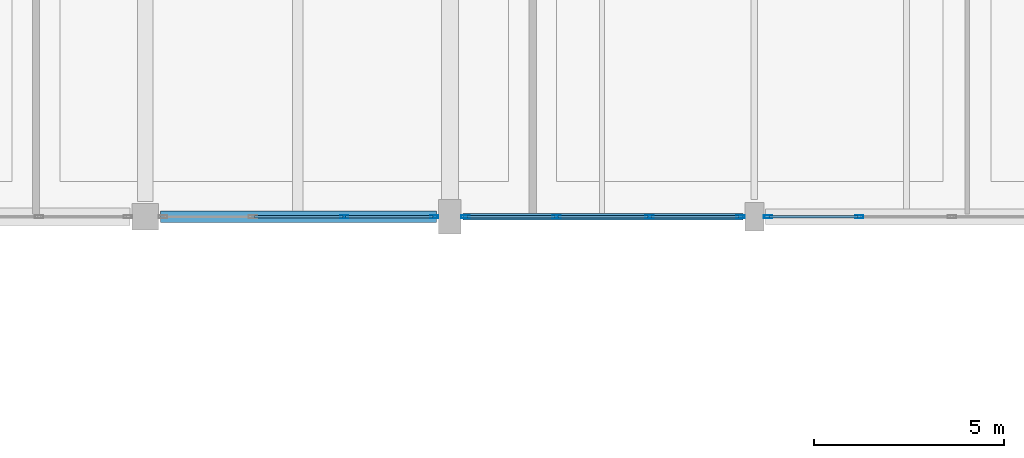
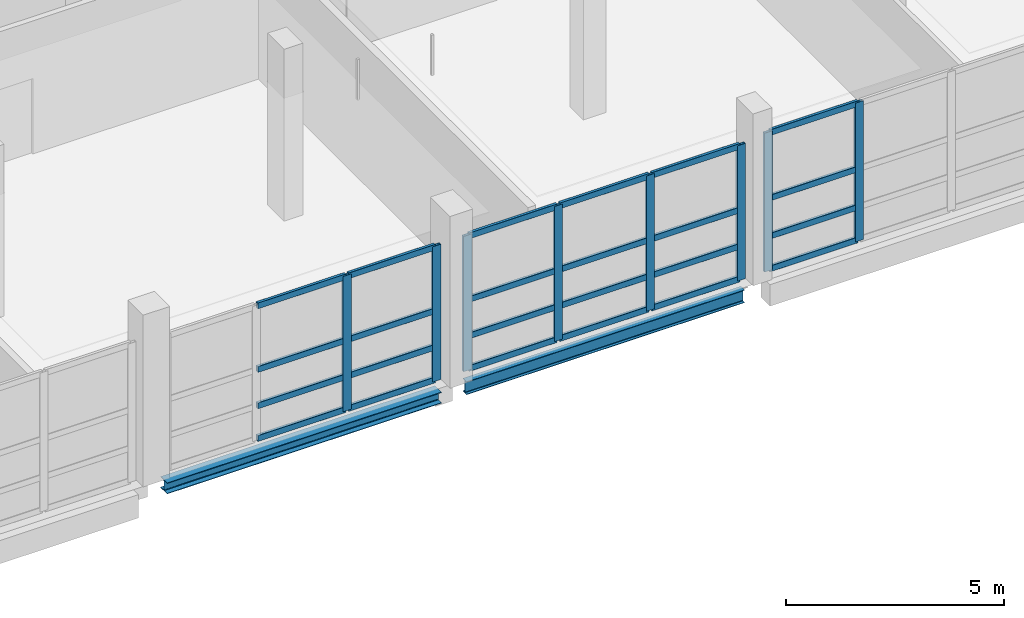
# One storey, part 16 of 46: 32 members, 2 beams, 3 elements without a shape of their own.
"""IFC4 building model written with IfcOpenShell, lengths in metres."""

from ifc_helpers import new_model, si_unit, direction, frame, origin, origin_2d, place, context, subcontext, project, spatial, hollow_rectangle, i_section, extrude, material, material_profile, profile_set, type_object, element, aggregate, save


model = new_model("IFC4")

# Units and contexts
model_context = context("Model", 3, precision=1e-05, world=origin(), true_north=direction((0.0, 1.0)))
body_context = subcontext(model_context, "Body", "Model", "MODEL_VIEW")
ifc_project = project(units=[si_unit("LENGTHUNIT", "METRE"), si_unit("AREAUNIT", "SQUARE_METRE"), si_unit("VOLUMEUNIT", "CUBIC_METRE"), si_unit("PLANEANGLEUNIT", "RADIAN"), si_unit("MASSUNIT", "GRAM", prefix="KILO")], contexts=[model_context])

# Site, building, storey
site_placement = place(None, origin())
site = spatial("IfcSite", under=ifc_project, at=site_placement, CompositionType="ELEMENT")
building_placement = place(site_placement, origin())
building = spatial("IfcBuilding", under=site, at=building_placement, Name="Khelvaren Railside Concert Hall", CompositionType="ELEMENT")
storey_placement = place(building_placement, frame((0.0, 0.0, 19.800048828125)))
storey = spatial("IfcBuildingStorey", under=building, at=storey_placement, Name="L04", CompositionType="ELEMENT", Elevation=19.800048828125)

# Curtain wall, members
ifc_material_1 = material(Name="Triple-glazed solar-control glass", Category="glass")
curtain_wall_type_1 = type_object("IfcCurtainWallType", Name="CW41", PredefinedType="USERDEFINED", material=ifc_material_1)
curtain_wall_1_placement = place(storey_placement, origin())
curtain_wall_1 = element("IfcCurtainWall", 1, at=curtain_wall_1_placement, inside=storey, type_object=curtain_wall_type_1, Name="Unitised Curtain Wall CW-V5-L04-S-152", ObjectType="UNITISED CURTAIN WALL", PredefinedType="USERDEFINED")
ifc_material_2 = material(Name="Anodised architectural aluminium 6063-T6", Category="aluminium")
ifc_material_profile_1 = material_profile(ifc_material_2, hollow_rectangle(XDim=0.074951171875, YDim=0.219970703125, WallThickness=0.0048828125, InnerFilletRadius=0.0029296875, OuterFilletRadius=0.0048828125, at=origin_2d()), Name="CWM 75x220x5")
ifc_profile_set_1 = profile_set([ifc_material_profile_1], Name="Anodised architectural aluminium 6063-T6")
member_type_1 = type_object("IfcMemberType", Name="CWM13", PredefinedType="MULLION", material=ifc_profile_set_1)
member_1_placement = place(storey_placement, frame((159.590087890625, 91.199951171875, 0.0), z_axis=(0.0, 0.0, 1.0), x_axis=(0.0, -1.0, 0.0)))
member_1 = element("IfcMember", 2, at=member_1_placement, type_object=member_type_1, Name="CW41 mullion 1", PredefinedType="MULLION", context=body_context, shape_type="SweptSolid", body=[
    extrude(hollow_rectangle(XDim=0.074951171875, YDim=0.219970703125, WallThickness=0.0048828125, InnerFilletRadius=0.0029296875, OuterFilletRadius=0.0048828125, at=origin_2d()), origin(), (0.0, 0.0, 1.0), 3.780029296875),
])
member_2_placement = place(storey_placement, frame((157.225830078125, 91.199951171875, 0.0), z_axis=(0.0, 0.0, 1.0), x_axis=(0.0, -1.0, 0.0)))
member_2 = element("IfcMember", 3, at=member_2_placement, type_object=member_type_1, Name="CW41 mullion 2", PredefinedType="MULLION", context=body_context, shape_type="SweptSolid", body=[
    extrude(hollow_rectangle(XDim=0.074951171875, YDim=0.219970703125, WallThickness=0.0048828125, InnerFilletRadius=0.0029296875, OuterFilletRadius=0.0048828125, at=origin_2d()), origin(), (0.0, 0.0, 1.0), 3.780029296875),
])

curtain_wall_type_2 = type_object("IfcCurtainWallType", Name="CW88", PredefinedType="USERDEFINED", material=ifc_material_1)
curtain_wall_2_placement = place(storey_placement, origin())
curtain_wall_2 = element("IfcCurtainWall", 4, at=curtain_wall_2_placement, inside=storey, type_object=curtain_wall_type_2, Name="Unitised Curtain Wall CW-V5-L04-S-160", ObjectType="UNITISED CURTAIN WALL", PredefinedType="USERDEFINED")
member_3_placement = place(storey_placement, frame((167.639892578125, 91.199951171875, 0.0), z_axis=(0.0, 0.0, 1.0), x_axis=(0.0, -1.0, 0.0)))
member_3 = element("IfcMember", 5, at=member_3_placement, type_object=member_type_1, Name="CW88 mullion 1", PredefinedType="MULLION", context=body_context, shape_type="SweptSolid", body=[
    extrude(hollow_rectangle(XDim=0.074951171875, YDim=0.219970703125, WallThickness=0.0048828125, InnerFilletRadius=0.0029296875, OuterFilletRadius=0.0048828125, at=origin_2d()), origin(), (0.0, 0.0, 1.0), 3.780029296875),
])
member_4_placement = place(storey_placement, frame((165.242431640625, 91.199951171875, 0.0), z_axis=(0.0, 0.0, 1.0), x_axis=(0.0, -1.0, 0.0)))
member_4 = element("IfcMember", 6, at=member_4_placement, type_object=member_type_1, Name="CW88 mullion 2", PredefinedType="MULLION", context=body_context, shape_type="SweptSolid", body=[
    extrude(hollow_rectangle(XDim=0.074951171875, YDim=0.219970703125, WallThickness=0.0048828125, InnerFilletRadius=0.0029296875, OuterFilletRadius=0.0048828125, at=origin_2d()), origin(), (0.0, 0.0, 1.0), 3.780029296875),
])
member_5_placement = place(storey_placement, frame((162.8076171875, 91.199951171875, 0.0), z_axis=(0.0, 0.0, 1.0), x_axis=(0.0, -1.0, 0.0)))
member_5 = element("IfcMember", 7, at=member_5_placement, type_object=member_type_1, Name="CW88 mullion 3", PredefinedType="MULLION", context=body_context, shape_type="SweptSolid", body=[
    extrude(hollow_rectangle(XDim=0.074951171875, YDim=0.219970703125, WallThickness=0.0048828125, InnerFilletRadius=0.0029296875, OuterFilletRadius=0.0048828125, at=origin_2d()), origin(), (0.0, 0.0, 1.0), 3.780029296875),
])
member_6_placement = place(storey_placement, frame((160.409912109375, 91.199951171875, 0.0), z_axis=(0.0, 0.0, 1.0), x_axis=(0.0, -1.0, 0.0)))
member_6 = element("IfcMember", 8, at=member_6_placement, type_object=member_type_1, Name="CW88 mullion 4", PredefinedType="MULLION", context=body_context, shape_type="SweptSolid", body=[
    extrude(hollow_rectangle(XDim=0.074951171875, YDim=0.219970703125, WallThickness=0.0048828125, InnerFilletRadius=0.0029296875, OuterFilletRadius=0.0048828125, at=origin_2d()), origin(), (0.0, 0.0, 1.0), 3.780029296875),
])

curtain_wall_type_3 = type_object("IfcCurtainWallType", Name="CW14", PredefinedType="USERDEFINED", material=ifc_material_1)
curtain_wall_3_placement = place(storey_placement, origin())
curtain_wall_3 = element("IfcCurtainWall", 9, at=curtain_wall_3_placement, inside=storey, type_object=curtain_wall_type_3, Name="Unitised Curtain Wall CW-V5-L04-S-168", ObjectType="UNITISED CURTAIN WALL", PredefinedType="USERDEFINED")
member_7_placement = place(storey_placement, frame((170.757568359375, 91.199951171875, 0.0), z_axis=(0.0, 0.0, 1.0), x_axis=(0.0, -1.0, 0.0)))
member_7 = element("IfcMember", 10, at=member_7_placement, type_object=member_type_1, Name="CW14 mullion 3", PredefinedType="MULLION", context=body_context, shape_type="SweptSolid", body=[
    extrude(hollow_rectangle(XDim=0.074951171875, YDim=0.219970703125, WallThickness=0.0048828125, InnerFilletRadius=0.0029296875, OuterFilletRadius=0.0048828125, at=origin_2d()), origin(), (0.0, 0.0, 1.0), 3.8798828125),
])
member_8_placement = place(storey_placement, frame((168.360107421875, 91.199951171875, 0.0), z_axis=(0.0, 0.0, 1.0), x_axis=(0.0, -1.0, 0.0)))
member_8 = element("IfcMember", 11, at=member_8_placement, type_object=member_type_1, Name="CW14 mullion 4", PredefinedType="MULLION", context=body_context, shape_type="SweptSolid", body=[
    extrude(hollow_rectangle(XDim=0.074951171875, YDim=0.219970703125, WallThickness=0.0048828125, InnerFilletRadius=0.0029296875, OuterFilletRadius=0.0048828125, at=origin_2d()), origin(), (0.0, 0.0, 1.0), 3.8798828125),
])

# Member
ifc_material_profile_2 = material_profile(ifc_material_2, hollow_rectangle(XDim=0.074951171875, YDim=0.1650390625, WallThickness=0.00390625, InnerFilletRadius=0.001953125, OuterFilletRadius=0.00390625, at=origin_2d()), Name="CWT 75x165x4")
ifc_profile_set_2 = profile_set([ifc_material_profile_2], Name="Anodised architectural aluminium 6063-T6")
member_type_2 = type_object("IfcMemberType", Name="CWT46", PredefinedType="USERDEFINED", material=ifc_profile_set_2)
member_9_placement = place(storey_placement, frame((159.552490234375, 91.199951171875, 0.037353515625), z_axis=(-1.0, 0.0, 0.0), x_axis=(0.0, -1.0, 0.0)))
member_9 = element("IfcMember", 12, at=member_9_placement, type_object=member_type_2, Name="CW41 transom 1.1", ObjectType="TRANSOM", PredefinedType="USERDEFINED", context=body_context, shape_type="SweptSolid", body=[
    extrude(hollow_rectangle(XDim=0.074951171875, YDim=0.1650390625, WallThickness=0.00390625, InnerFilletRadius=0.001953125, OuterFilletRadius=0.00390625, at=origin_2d()), origin(), (0.0, 0.0, 1.0), 2.2890625),
])

member_10_placement = place(storey_placement, frame((159.552490234375, 91.199951171875, 0.949951171875), z_axis=(-1.0, 0.0, 0.0), x_axis=(0.0, -1.0, 0.0)))
member_10 = element("IfcMember", 13, at=member_10_placement, type_object=member_type_2, Name="CW41 transom 1.2", ObjectType="TRANSOM", PredefinedType="USERDEFINED", context=body_context, shape_type="SweptSolid", body=[
    extrude(hollow_rectangle(XDim=0.074951171875, YDim=0.1650390625, WallThickness=0.00390625, InnerFilletRadius=0.001953125, OuterFilletRadius=0.00390625, at=origin_2d()), origin(), (0.0, 0.0, 1.0), 2.2890625),
])

member_11_placement = place(storey_placement, frame((159.552490234375, 91.199951171875, 1.965576171875), z_axis=(-1.0, 0.0, 0.0), x_axis=(0.0, -1.0, 0.0)))
member_11 = element("IfcMember", 14, at=member_11_placement, type_object=member_type_2, Name="CW41 transom 1.3", ObjectType="TRANSOM", PredefinedType="USERDEFINED", context=body_context, shape_type="SweptSolid", body=[
    extrude(hollow_rectangle(XDim=0.074951171875, YDim=0.1650390625, WallThickness=0.00390625, InnerFilletRadius=0.001953125, OuterFilletRadius=0.00390625, at=origin_2d()), origin(), (0.0, 0.0, 1.0), 2.2890625),
])

member_12_placement = place(storey_placement, frame((159.552490234375, 91.199951171875, 3.742431640625), z_axis=(-1.0, 0.0, 0.0), x_axis=(0.0, -1.0, 0.0)))
member_12 = element("IfcMember", 15, at=member_12_placement, type_object=member_type_2, Name="CW41 transom 1.4", ObjectType="TRANSOM", PredefinedType="USERDEFINED", context=body_context, shape_type="SweptSolid", body=[
    extrude(hollow_rectangle(XDim=0.074951171875, YDim=0.1650390625, WallThickness=0.00390625, InnerFilletRadius=0.001953125, OuterFilletRadius=0.00390625, at=origin_2d()), origin(), (0.0, 0.0, 1.0), 2.2890625),
])

member_13_placement = place(storey_placement, frame((157.188232421875, 91.199951171875, 0.037353515625), z_axis=(-1.0, 0.0, 0.0), x_axis=(0.0, -1.0, 0.0)))
member_13 = element("IfcMember", 16, at=member_13_placement, type_object=member_type_2, Name="CW41 transom 2.1", ObjectType="TRANSOM", PredefinedType="USERDEFINED", context=body_context, shape_type="SweptSolid", body=[
    extrude(hollow_rectangle(XDim=0.074951171875, YDim=0.1650390625, WallThickness=0.00390625, InnerFilletRadius=0.001953125, OuterFilletRadius=0.00390625, at=origin_2d()), origin(), (0.0, 0.0, 1.0), 2.32666015625),
])

member_14_placement = place(storey_placement, frame((157.188232421875, 91.199951171875, 0.949951171875), z_axis=(-1.0, 0.0, 0.0), x_axis=(0.0, -1.0, 0.0)))
member_14 = element("IfcMember", 17, at=member_14_placement, type_object=member_type_2, Name="CW41 transom 2.2", ObjectType="TRANSOM", PredefinedType="USERDEFINED", context=body_context, shape_type="SweptSolid", body=[
    extrude(hollow_rectangle(XDim=0.074951171875, YDim=0.1650390625, WallThickness=0.00390625, InnerFilletRadius=0.001953125, OuterFilletRadius=0.00390625, at=origin_2d()), origin(), (0.0, 0.0, 1.0), 2.32666015625),
])

member_15_placement = place(storey_placement, frame((157.188232421875, 91.199951171875, 1.965576171875), z_axis=(-1.0, 0.0, 0.0), x_axis=(0.0, -1.0, 0.0)))
member_15 = element("IfcMember", 18, at=member_15_placement, type_object=member_type_2, Name="CW41 transom 2.3", ObjectType="TRANSOM", PredefinedType="USERDEFINED", context=body_context, shape_type="SweptSolid", body=[
    extrude(hollow_rectangle(XDim=0.074951171875, YDim=0.1650390625, WallThickness=0.00390625, InnerFilletRadius=0.001953125, OuterFilletRadius=0.00390625, at=origin_2d()), origin(), (0.0, 0.0, 1.0), 2.32666015625),
])

member_16_placement = place(storey_placement, frame((157.188232421875, 91.199951171875, 3.742431640625), z_axis=(-1.0, 0.0, 0.0), x_axis=(0.0, -1.0, 0.0)))
member_16 = element("IfcMember", 19, at=member_16_placement, type_object=member_type_2, Name="CW41 transom 2.4", ObjectType="TRANSOM", PredefinedType="USERDEFINED", context=body_context, shape_type="SweptSolid", body=[
    extrude(hollow_rectangle(XDim=0.074951171875, YDim=0.1650390625, WallThickness=0.00390625, InnerFilletRadius=0.001953125, OuterFilletRadius=0.00390625, at=origin_2d()), origin(), (0.0, 0.0, 1.0), 2.32666015625),
])

aggregate(curtain_wall_1, [member_1, member_2, member_9, member_10, member_11, member_12, member_13, member_14, member_15, member_16])

member_17_placement = place(storey_placement, frame((167.6025390625, 91.199951171875, 0.037353515625), z_axis=(-1.0, 0.0, 0.0), x_axis=(0.0, -1.0, 0.0)))
member_17 = element("IfcMember", 20, at=member_17_placement, type_object=member_type_2, Name="CW88 transom 1.1", ObjectType="TRANSOM", PredefinedType="USERDEFINED", context=body_context, shape_type="SweptSolid", body=[
    extrude(hollow_rectangle(XDim=0.074951171875, YDim=0.1650390625, WallThickness=0.00390625, InnerFilletRadius=0.001953125, OuterFilletRadius=0.00390625, at=origin_2d()), origin(), (0.0, 0.0, 1.0), 2.322509765625),
])

member_18_placement = place(storey_placement, frame((167.6025390625, 91.199951171875, 0.949951171875), z_axis=(-1.0, 0.0, 0.0), x_axis=(0.0, -1.0, 0.0)))
member_18 = element("IfcMember", 21, at=member_18_placement, type_object=member_type_2, Name="CW88 transom 1.2", ObjectType="TRANSOM", PredefinedType="USERDEFINED", context=body_context, shape_type="SweptSolid", body=[
    extrude(hollow_rectangle(XDim=0.074951171875, YDim=0.1650390625, WallThickness=0.00390625, InnerFilletRadius=0.001953125, OuterFilletRadius=0.00390625, at=origin_2d()), origin(), (0.0, 0.0, 1.0), 2.322509765625),
])

member_19_placement = place(storey_placement, frame((167.6025390625, 91.199951171875, 1.965576171875), z_axis=(-1.0, 0.0, 0.0), x_axis=(0.0, -1.0, 0.0)))
member_19 = element("IfcMember", 22, at=member_19_placement, type_object=member_type_2, Name="CW88 transom 1.3", ObjectType="TRANSOM", PredefinedType="USERDEFINED", context=body_context, shape_type="SweptSolid", body=[
    extrude(hollow_rectangle(XDim=0.074951171875, YDim=0.1650390625, WallThickness=0.00390625, InnerFilletRadius=0.001953125, OuterFilletRadius=0.00390625, at=origin_2d()), origin(), (0.0, 0.0, 1.0), 2.322509765625),
])

member_20_placement = place(storey_placement, frame((167.6025390625, 91.199951171875, 3.742431640625), z_axis=(-1.0, 0.0, 0.0), x_axis=(0.0, -1.0, 0.0)))
member_20 = element("IfcMember", 23, at=member_20_placement, type_object=member_type_2, Name="CW88 transom 1.4", ObjectType="TRANSOM", PredefinedType="USERDEFINED", context=body_context, shape_type="SweptSolid", body=[
    extrude(hollow_rectangle(XDim=0.074951171875, YDim=0.1650390625, WallThickness=0.00390625, InnerFilletRadius=0.001953125, OuterFilletRadius=0.00390625, at=origin_2d()), origin(), (0.0, 0.0, 1.0), 2.322509765625),
])

member_21_placement = place(storey_placement, frame((165.205078125, 91.199951171875, 0.037353515625), z_axis=(-1.0, 0.0, 0.0), x_axis=(0.0, -1.0, 0.0)))
member_21 = element("IfcMember", 24, at=member_21_placement, type_object=member_type_2, Name="CW88 transom 2.1", ObjectType="TRANSOM", PredefinedType="USERDEFINED", context=body_context, shape_type="SweptSolid", body=[
    extrude(hollow_rectangle(XDim=0.074951171875, YDim=0.1650390625, WallThickness=0.00390625, InnerFilletRadius=0.001953125, OuterFilletRadius=0.00390625, at=origin_2d()), origin(), (0.0, 0.0, 1.0), 2.360107421875),
])

member_22_placement = place(storey_placement, frame((165.205078125, 91.199951171875, 0.949951171875), z_axis=(-1.0, 0.0, 0.0), x_axis=(0.0, -1.0, 0.0)))
member_22 = element("IfcMember", 25, at=member_22_placement, type_object=member_type_2, Name="CW88 transom 2.2", ObjectType="TRANSOM", PredefinedType="USERDEFINED", context=body_context, shape_type="SweptSolid", body=[
    extrude(hollow_rectangle(XDim=0.074951171875, YDim=0.1650390625, WallThickness=0.00390625, InnerFilletRadius=0.001953125, OuterFilletRadius=0.00390625, at=origin_2d()), origin(), (0.0, 0.0, 1.0), 2.360107421875),
])

member_23_placement = place(storey_placement, frame((165.205078125, 91.199951171875, 1.965576171875), z_axis=(-1.0, 0.0, 0.0), x_axis=(0.0, -1.0, 0.0)))
member_23 = element("IfcMember", 26, at=member_23_placement, type_object=member_type_2, Name="CW88 transom 2.3", ObjectType="TRANSOM", PredefinedType="USERDEFINED", context=body_context, shape_type="SweptSolid", body=[
    extrude(hollow_rectangle(XDim=0.074951171875, YDim=0.1650390625, WallThickness=0.00390625, InnerFilletRadius=0.001953125, OuterFilletRadius=0.00390625, at=origin_2d()), origin(), (0.0, 0.0, 1.0), 2.360107421875),
])

member_24_placement = place(storey_placement, frame((165.205078125, 91.199951171875, 3.742431640625), z_axis=(-1.0, 0.0, 0.0), x_axis=(0.0, -1.0, 0.0)))
member_24 = element("IfcMember", 27, at=member_24_placement, type_object=member_type_2, Name="CW88 transom 2.4", ObjectType="TRANSOM", PredefinedType="USERDEFINED", context=body_context, shape_type="SweptSolid", body=[
    extrude(hollow_rectangle(XDim=0.074951171875, YDim=0.1650390625, WallThickness=0.00390625, InnerFilletRadius=0.001953125, OuterFilletRadius=0.00390625, at=origin_2d()), origin(), (0.0, 0.0, 1.0), 2.360107421875),
])

member_25_placement = place(storey_placement, frame((162.77001953125, 91.199951171875, 0.037353515625), z_axis=(-1.0, 0.0, 0.0), x_axis=(0.0, -1.0, 0.0)))
member_25 = element("IfcMember", 28, at=member_25_placement, type_object=member_type_2, Name="CW88 transom 3.1", ObjectType="TRANSOM", PredefinedType="USERDEFINED", context=body_context, shape_type="SweptSolid", body=[
    extrude(hollow_rectangle(XDim=0.074951171875, YDim=0.1650390625, WallThickness=0.00390625, InnerFilletRadius=0.001953125, OuterFilletRadius=0.00390625, at=origin_2d()), origin(), (0.0, 0.0, 1.0), 2.322509765625),
])

member_26_placement = place(storey_placement, frame((162.77001953125, 91.199951171875, 0.949951171875), z_axis=(-1.0, 0.0, 0.0), x_axis=(0.0, -1.0, 0.0)))
member_26 = element("IfcMember", 29, at=member_26_placement, type_object=member_type_2, Name="CW88 transom 3.2", ObjectType="TRANSOM", PredefinedType="USERDEFINED", context=body_context, shape_type="SweptSolid", body=[
    extrude(hollow_rectangle(XDim=0.074951171875, YDim=0.1650390625, WallThickness=0.00390625, InnerFilletRadius=0.001953125, OuterFilletRadius=0.00390625, at=origin_2d()), origin(), (0.0, 0.0, 1.0), 2.322509765625),
])

member_27_placement = place(storey_placement, frame((162.77001953125, 91.199951171875, 1.965576171875), z_axis=(-1.0, 0.0, 0.0), x_axis=(0.0, -1.0, 0.0)))
member_27 = element("IfcMember", 30, at=member_27_placement, type_object=member_type_2, Name="CW88 transom 3.3", ObjectType="TRANSOM", PredefinedType="USERDEFINED", context=body_context, shape_type="SweptSolid", body=[
    extrude(hollow_rectangle(XDim=0.074951171875, YDim=0.1650390625, WallThickness=0.00390625, InnerFilletRadius=0.001953125, OuterFilletRadius=0.00390625, at=origin_2d()), origin(), (0.0, 0.0, 1.0), 2.322509765625),
])

member_28_placement = place(storey_placement, frame((162.77001953125, 91.199951171875, 3.742431640625), z_axis=(-1.0, 0.0, 0.0), x_axis=(0.0, -1.0, 0.0)))
member_28 = element("IfcMember", 31, at=member_28_placement, type_object=member_type_2, Name="CW88 transom 3.4", ObjectType="TRANSOM", PredefinedType="USERDEFINED", context=body_context, shape_type="SweptSolid", body=[
    extrude(hollow_rectangle(XDim=0.074951171875, YDim=0.1650390625, WallThickness=0.00390625, InnerFilletRadius=0.001953125, OuterFilletRadius=0.00390625, at=origin_2d()), origin(), (0.0, 0.0, 1.0), 2.322509765625),
])

aggregate(curtain_wall_2, [member_3, member_4, member_5, member_6, member_17, member_18, member_19, member_20, member_21, member_22, member_23, member_24, member_25, member_26, member_27, member_28])

member_29_placement = place(storey_placement, frame((170.719970703125, 91.199951171875, 0.037353515625), z_axis=(-1.0, 0.0, 0.0), x_axis=(0.0, -1.0, 0.0)))
member_29 = element("IfcMember", 32, at=member_29_placement, type_object=member_type_2, Name="CW14 transom 3.1", ObjectType="TRANSOM", PredefinedType="USERDEFINED", context=body_context, shape_type="SweptSolid", body=[
    extrude(hollow_rectangle(XDim=0.074951171875, YDim=0.1650390625, WallThickness=0.00390625, InnerFilletRadius=0.001953125, OuterFilletRadius=0.00390625, at=origin_2d()), origin(), (0.0, 0.0, 1.0), 2.322509765625),
])

member_30_placement = place(storey_placement, frame((170.719970703125, 91.199951171875, 0.949951171875), z_axis=(-1.0, 0.0, 0.0), x_axis=(0.0, -1.0, 0.0)))
member_30 = element("IfcMember", 33, at=member_30_placement, type_object=member_type_2, Name="CW14 transom 3.2", ObjectType="TRANSOM", PredefinedType="USERDEFINED", context=body_context, shape_type="SweptSolid", body=[
    extrude(hollow_rectangle(XDim=0.074951171875, YDim=0.1650390625, WallThickness=0.00390625, InnerFilletRadius=0.001953125, OuterFilletRadius=0.00390625, at=origin_2d()), origin(), (0.0, 0.0, 1.0), 2.322509765625),
])

member_31_placement = place(storey_placement, frame((170.719970703125, 91.199951171875, 2.017578125), z_axis=(-1.0, 0.0, 0.0), x_axis=(0.0, -1.0, 0.0)))
member_31 = element("IfcMember", 34, at=member_31_placement, type_object=member_type_2, Name="CW14 transom 3.3", ObjectType="TRANSOM", PredefinedType="USERDEFINED", context=body_context, shape_type="SweptSolid", body=[
    extrude(hollow_rectangle(XDim=0.074951171875, YDim=0.1650390625, WallThickness=0.00390625, InnerFilletRadius=0.001953125, OuterFilletRadius=0.00390625, at=origin_2d()), origin(), (0.0, 0.0, 1.0), 2.322509765625),
])

member_32_placement = place(storey_placement, frame((170.719970703125, 91.199951171875, 3.842529296875), z_axis=(-1.0, 0.0, 0.0), x_axis=(0.0, -1.0, 0.0)))
member_32 = element("IfcMember", 35, at=member_32_placement, type_object=member_type_2, Name="CW14 transom 3.4", ObjectType="TRANSOM", PredefinedType="USERDEFINED", context=body_context, shape_type="SweptSolid", body=[
    extrude(hollow_rectangle(XDim=0.074951171875, YDim=0.1650390625, WallThickness=0.00390625, InnerFilletRadius=0.001953125, OuterFilletRadius=0.00390625, at=origin_2d()), origin(), (0.0, 0.0, 1.0), 2.322509765625),
])

aggregate(curtain_wall_3, [member_7, member_8, member_29, member_30, member_31, member_32])

# Beams
ifc_material_3 = material(Name="Steel S355", Category="steel")
ifc_material_profile_3 = material_profile(ifc_material_3, i_section(OverallWidth=0.300048828125, OverallDepth=0.31005859375, WebThickness=0.009033203125, FlangeThickness=0.015380859375, FilletRadius=0.027099609375, at=origin_2d()), Name="HEA 320")
ifc_profile_set_3 = profile_set([ifc_material_profile_3], Name="Steel S355")
beam_type_1 = type_object("IfcBeamType", Name="SP66", PredefinedType="SPANDREL", material=ifc_profile_set_3)
beam_1_placement = place(storey_placement, frame((152.39990234375, 91.199951171875, -0.425048828125), z_axis=(1.0, 0.0, 0.0), x_axis=(0.0, 1.0, 0.0)))
element("IfcBeam", 36, at=beam_1_placement, inside=storey, type_object=beam_type_1, Name="V5 L04 Spandrel X2.4", PredefinedType="SPANDREL", context=body_context, shape_type="SweptSolid", body=[
    extrude(i_section(OverallWidth=0.300048828125, OverallDepth=0.31005859375, WebThickness=0.009033203125, FlangeThickness=0.015380859375, FilletRadius=0.027099609375, at=origin_2d()), origin(), (0.0, 0.0, 1.0), 7.25),
])
ifc_material_profile_4 = material_profile(ifc_material_3, i_section(OverallWidth=0.169921875, OverallDepth=0.360107421875, WebThickness=0.008056640625, FlangeThickness=0.0126953125, FilletRadius=0.01806640625, at=origin_2d()), Name="IPE 360")
ifc_profile_set_4 = profile_set([ifc_material_profile_4], Name="Steel S355")
beam_type_2 = type_object("IfcBeamType", Name="SP74", PredefinedType="SPANDREL", material=ifc_profile_set_4)
beam_2_placement = place(storey_placement, frame((160.35009765625, 91.199951171875, -0.449951171875), z_axis=(1.0, 0.0, 0.0), x_axis=(0.0, 1.0, 0.0)))
element("IfcBeam", 37, at=beam_2_placement, inside=storey, type_object=beam_type_2, Name="V5 L04 Spandrel X2.5", PredefinedType="SPANDREL", context=body_context, shape_type="SweptSolid", body=[
    extrude(i_section(OverallWidth=0.169921875, OverallDepth=0.360107421875, WebThickness=0.008056640625, FlangeThickness=0.0126953125, FilletRadius=0.01806640625, at=origin_2d()), origin(), (0.0, 0.0, 1.0), 7.349853515625),
])

save(model, "model.ifc")
